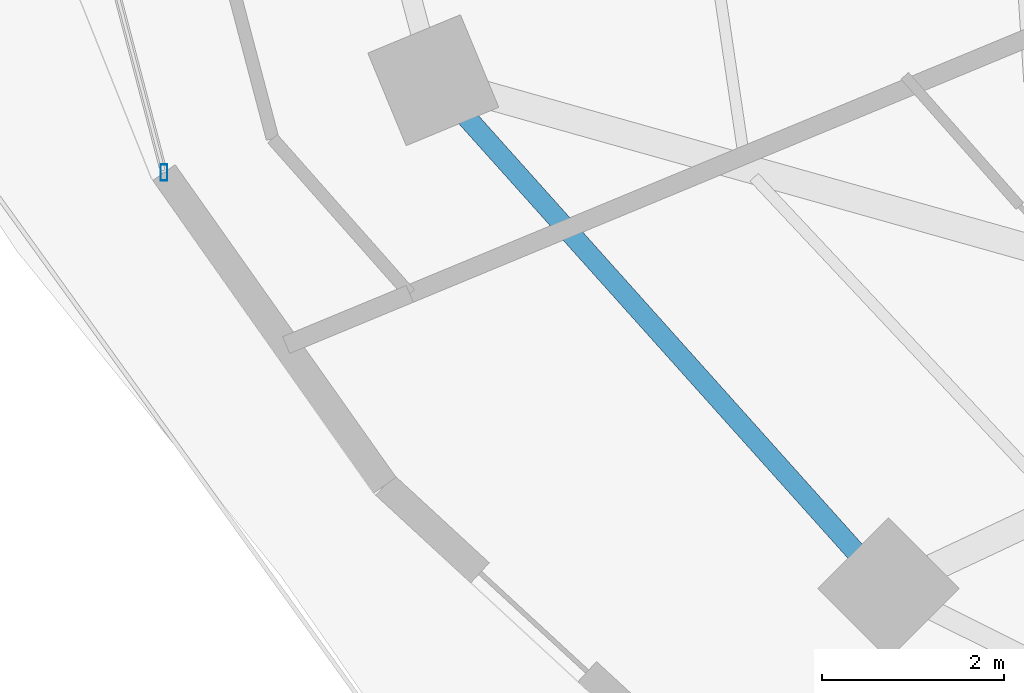
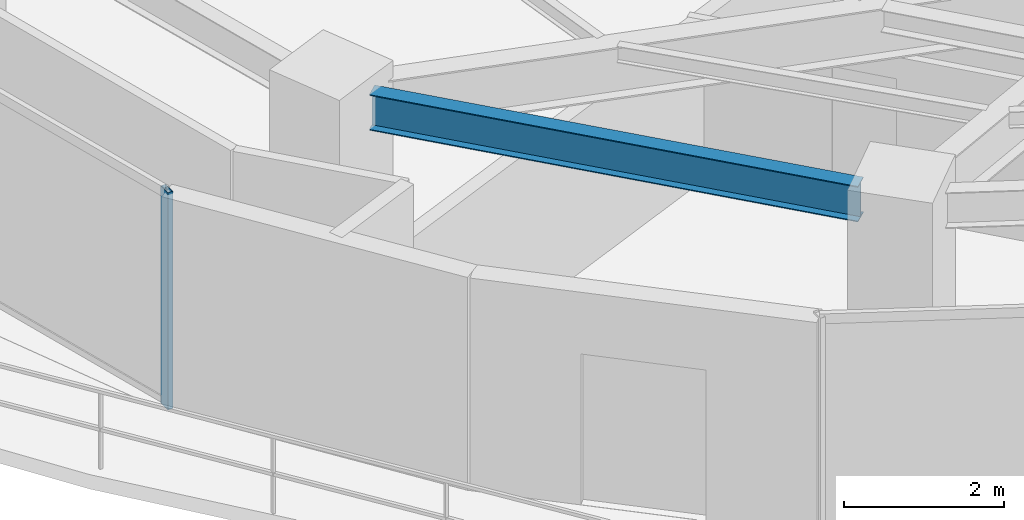
# One storey, part 3 of 31: 1 beam, 1 member, 1 element without a shape of its own.
"""IFC4 building model written with IfcOpenShell, lengths in metres."""

from ifc_helpers import new_model, si_unit, direction, frame, origin, origin_2d, place, context, subcontext, project, spatial, hollow_rectangle, i_section, extrude, material, material_profile, profile_set, type_object, element, aggregate, save


model = new_model("IFC4")

# Units and contexts
model_context = context("Model", 3, precision=1e-05, world=origin(), true_north=direction((0.0, 1.0)))
body_context = subcontext(model_context, "Body", "Model", "MODEL_VIEW")
ifc_project = project(units=[si_unit("LENGTHUNIT", "METRE"), si_unit("AREAUNIT", "SQUARE_METRE"), si_unit("VOLUMEUNIT", "CUBIC_METRE"), si_unit("PLANEANGLEUNIT", "RADIAN"), si_unit("MASSUNIT", "GRAM", prefix="KILO")], contexts=[model_context])

# Site, building, storey
site_placement = place(None, origin())
site = spatial("IfcSite", under=ifc_project, at=site_placement, CompositionType="ELEMENT")
building_placement = place(site_placement, origin())
building = spatial("IfcBuilding", under=site, at=building_placement, Name="Vorneva Point Tower", CompositionType="ELEMENT")
storey_placement = place(building_placement, frame((0.0, 0.0, 99.800048828125)))
storey = spatial("IfcBuildingStorey", under=building, at=storey_placement, Name="L26", CompositionType="ELEMENT", Elevation=99.800048828125)

# Beam
ifc_material_1 = material(Name="Steel S355", Category="steel")
ifc_material_profile_1 = material_profile(ifc_material_1, i_section(OverallWidth=0.219970703125, OverallDepth=0.54296875, WebThickness=0.009521484375, FlangeThickness=0.013427734375, at=origin_2d()), Name="55B1")
ifc_profile_set_1 = profile_set([ifc_material_profile_1], Name="Steel S355")
beam_type = type_object("IfcBeamType", Name="BM-SPN-55B1", PredefinedType="SPANDREL", material=ifc_profile_set_1)
beam_placement = place(storey_placement, frame((17.0615234375, 19.019287109375, 2.968505859375), z_axis=(0.667073815664, -0.744991627105, 0.0), x_axis=(0.744991627105, 0.667073815664, 0.0)))
element("IfcBeam", 1, at=beam_placement, inside=storey, type_object=beam_type, Name="L26 Perimeter Spandrel Ring Beam 10", PredefinedType="SPANDREL", context=body_context, shape_type="SweptSolid", body=[
    extrude(i_section(OverallWidth=0.219970703125, OverallDepth=0.54296875, WebThickness=0.009521484375, FlangeThickness=0.013427734375, at=origin_2d()), origin(), (0.0, 0.0, 1.0), 6.420166015625),
])

# Curtain wall, member
ifc_material_2 = material(Name="Pale anodised aluminium", Category="aluminium")
curtain_wall_type = type_object("IfcCurtainWallType", Name="CW-HTL-SYS", PredefinedType="NOTDEFINED", material=ifc_material_2)
curtain_wall_placement = place(storey_placement, origin())
curtain_wall = element("IfcCurtainWall", 2, at=curtain_wall_placement, inside=storey, type_object=curtain_wall_type, Name="L26 Unitised Curtain Wall CW-L26-R03", PredefinedType="NOTDEFINED")
ifc_material_profile_2 = material_profile(ifc_material_2, hollow_rectangle(XDim=0.074951171875, YDim=0.179931640625, WallThickness=0.00390625, at=origin_2d()), Name="AL-MUL 180x75x4")
ifc_profile_set_2 = profile_set([ifc_material_profile_2], Name="Pale anodised aluminium")
member_type = type_object("IfcMemberType", Name="CW-MUL-180", PredefinedType="MULLION", material=ifc_profile_set_2)
member_placement = place(storey_placement, frame((13.748291015625, 18.40380859375, -0.0400390625), z_axis=(0.0, 0.0, 1.0), x_axis=(1.0, 0.0, 0.0)))
member = element("IfcMember", 3, at=member_placement, type_object=member_type, Name="CW-L26-R03 Mullion 04", PredefinedType="MULLION", context=body_context, shape_type="SweptSolid", body=[
    extrude(hollow_rectangle(XDim=0.074951171875, YDim=0.179931640625, WallThickness=0.00390625, at=origin_2d()), origin(), (0.0, 0.0, 1.0), 3.31005859375),
])
aggregate(curtain_wall, [member])

save(model, "model.ifc")
